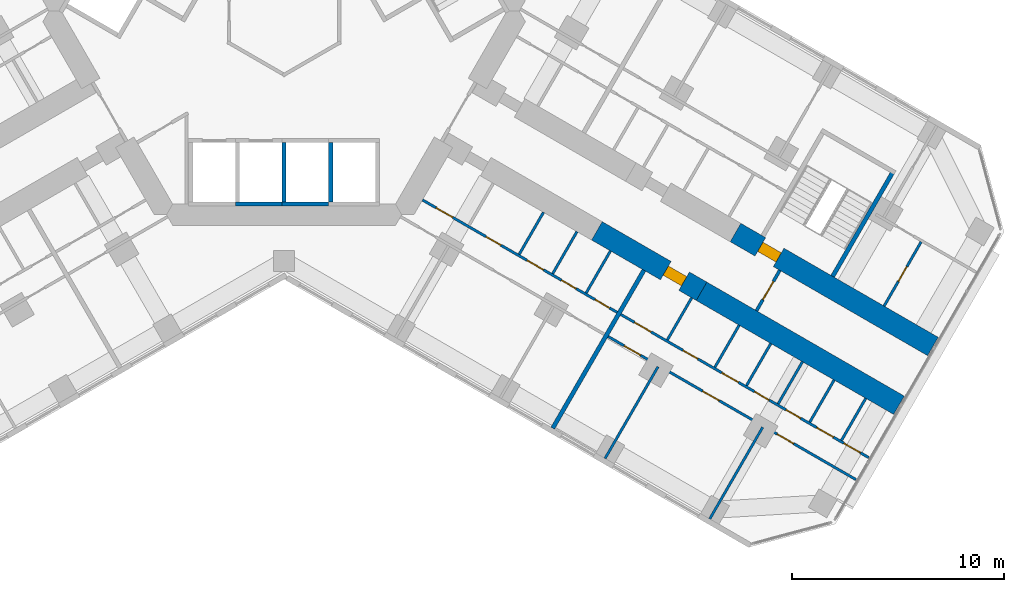
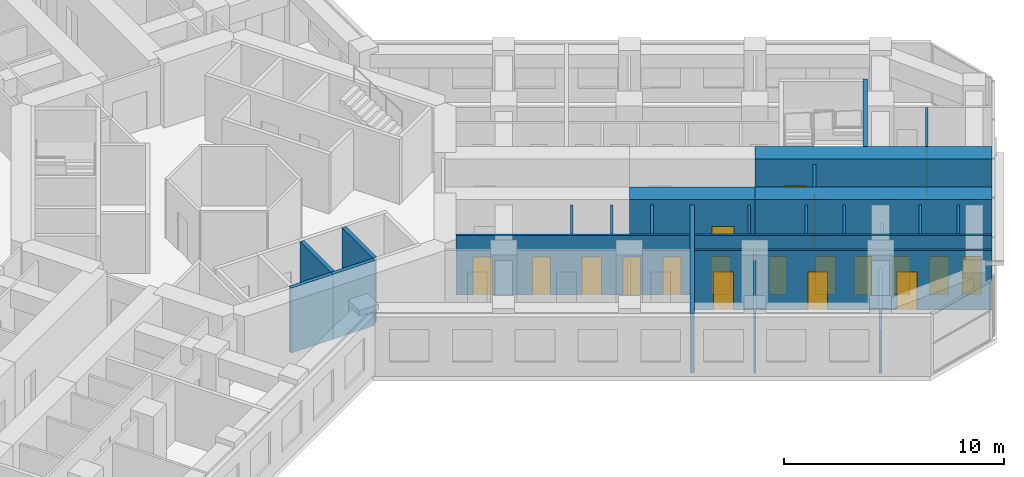
# One storey, part 14 of 21: 25 walls, 19 doors, 19 openings.
"""IFC4 building model written with IfcOpenShell, lengths in metres."""

from ifc_helpers import new_model, si_unit, direction, frame, frame_2d, origin, place, context, subcontext, project, spatial, rectangle, extrude, material, layer, layer_set, type_object, element, fill, save


model = new_model("IFC4")

# Units and contexts
model_context = context("Model", 3, precision=1e-05, world=origin(), true_north=direction((0.0, 1.0)))
body_context = subcontext(model_context, "Body", "Model", "MODEL_VIEW")
ifc_project = project(units=[si_unit("LENGTHUNIT", "METRE"), si_unit("AREAUNIT", "SQUARE_METRE"), si_unit("VOLUMEUNIT", "CUBIC_METRE"), si_unit("PLANEANGLEUNIT", "RADIAN"), si_unit("MASSUNIT", "GRAM", prefix="KILO")], contexts=[model_context])

# Site, building, storey
site_placement = place(None, origin())
site = spatial("IfcSite", under=ifc_project, at=site_placement, CompositionType="ELEMENT")
building_placement = place(site_placement, origin())
building = spatial("IfcBuilding", under=site, at=building_placement, Name="Kosmar Iwan School Tower", CompositionType="ELEMENT")
storey_placement = place(building_placement, frame((0.0, 0.0, 109.60009765625)))
storey = spatial("IfcBuildingStorey", under=building, at=storey_placement, Name="L27", CompositionType="ELEMENT", Elevation=109.60009765625)

# Wall, opening, door
ifc_material_1 = material(Name="Concrete C50/60", Category="concrete")
ifc_layer_1 = layer(ifc_material_1, 1.0)
ifc_layer_set_1 = layer_set([ifc_layer_1], Name="Corridor buttress wall 1000")
wall_type_1 = type_object("IfcWallType", Name="Corridor buttress wall 1000", PredefinedType="SHEAR", material=ifc_layer_set_1)
wall_1_placement = place(storey_placement, frame((21.281494140625, -10.439453125, 0.0), z_axis=(0.0, 0.0, 1.0), x_axis=(0.866032345022, -0.499987977232, 0.0)))
wall_1 = element("IfcWall", 1, at=wall_1_placement, inside=storey, type_object=wall_type_1, Name="Corridor wall CL bay 3", PredefinedType="SHEAR", context=body_context, shape_type="SweptSolid", body=[
    extrude(rectangle(XDim=10.744873046875, YDim=1.0, at=frame_2d((5.37255859375, 0.0))), origin(), (0.0, 0.0, 1.0), 3.599853515625),
])
opening_1_placement = place(wall_1_placement, frame((1.35009765625, 0.0, 0.0)))
opening_1 = element("IfcOpeningElement", 2, at=opening_1_placement, cuts=wall_1, Name="Opening D6", PredefinedType="OPENING", context=body_context, shape_type="SweptSolid", body=[
    extrude(rectangle(XDim=1.0, YDim=2.10009765625, at=frame_2d((0.5, 1.050048828125))), frame((0.0, 0.511962890625, 0.0), z_axis=(0.0, -1.0, 0.0), x_axis=(1.0, 0.0, 0.0)), (0.0, 0.0, 1.0), 1.02392578125),
])
ifc_material_2 = material(Name="Steel fire door", Category="steel")
door_type_1 = type_object("IfcDoorType", Name="Stair door 1000x2100", OperationType="SINGLE_SWING_LEFT", PredefinedType="DOOR", material=ifc_material_2)
door_1_placement = place(opening_1_placement, origin())
door_1 = element("IfcDoor", 3, at=door_1_placement, inside=storey, type_object=door_type_1, Name="Stair WS3 door L27", OperationType="SINGLE_SWING_LEFT", OverallHeight=2.10009765625, OverallWidth=1.0, PredefinedType="DOOR", context=body_context, shape_type="SweptSolid", body=[
    extrude(rectangle(XDim=1.0, YDim=2.10009765625, at=frame_2d((0.5, 1.050048828125))), frame((0.0, 0.25, 0.0), z_axis=(0.0, -1.0, 0.0), x_axis=(1.0, 0.0, 0.0)), (0.0, 0.0, 1.0), 0.5),
])
fill(opening_1, door_1)

wall_2_placement = place(storey_placement, frame((14.7451171875, -10.360595703125, 0.0), z_axis=(0.0, 0.0, 1.0), x_axis=(0.866015111908, -0.50001782563, 0.0)))
wall_2 = element("IfcWall", 4, at=wall_2_placement, inside=storey, type_object=wall_type_1, Name="Corridor wall CR bay 2", PredefinedType="SHEAR", context=body_context, shape_type="SweptSolid", body=[
    extrude(rectangle(XDim=5.699951171875, YDim=1.0, at=frame_2d((2.85009765625, 0.0))), origin(), (0.0, 0.0, 1.0), 3.599853515625),
])
opening_2_placement = place(wall_2_placement, frame((3.75, 0.0, 0.0)))
opening_2 = element("IfcOpeningElement", 5, at=opening_2_placement, cuts=wall_2, Name="Opening D1", PredefinedType="OPENING", context=body_context, shape_type="SweptSolid", body=[
    extrude(rectangle(XDim=1.0, YDim=2.10009765625, at=frame_2d((0.5, 1.050048828125))), frame((0.0, 0.511962890625, 0.0), z_axis=(0.0, -1.0, 0.0), x_axis=(1.0, 0.0, 0.0)), (0.0, 0.0, 1.0), 1.02392578125),
])
ifc_material_3 = material(Name="Timber fire door in steel frame", Category="steel")
door_type_2 = type_object("IfcDoorType", Name="Flat entrance door 1000x2100", OperationType="SINGLE_SWING_LEFT", PredefinedType="DOOR", material=ifc_material_3)
door_2_placement = place(opening_2_placement, origin())
door_2 = element("IfcDoor", 6, at=door_2_placement, inside=storey, type_object=door_type_2, Name="Flat L27-CR2 entrance door", OperationType="SINGLE_SWING_RIGHT", OverallHeight=2.10009765625, OverallWidth=1.0, PredefinedType="DOOR", context=body_context, shape_type="SweptSolid", body=[
    extrude(rectangle(XDim=1.0, YDim=2.10009765625, at=frame_2d((0.5, 1.050048828125))), frame((0.0, 0.25, 0.0), z_axis=(0.0, -1.0, 0.0), x_axis=(1.0, 0.0, 0.0)), (0.0, 0.0, 1.0), 0.5),
])
fill(opening_2, door_2)

# Wall
wall_3_placement = place(storey_placement, frame((19.681396484375, -13.210693359375, 0.0), z_axis=(0.0, 0.0, 1.0), x_axis=(0.866028186671, -0.499995179869, 0.0)))
element("IfcWall", 7, at=wall_3_placement, inside=storey, type_object=wall_type_1, Name="Corridor wall CR bay 3", PredefinedType="SHEAR", context=body_context, shape_type="SweptSolid", body=[
    extrude(rectangle(XDim=10.7451171875, YDim=1.0, at=frame_2d((5.37255859375, 0.0))), origin(), (0.0, 0.0, 1.0), 3.599853515625),
])

# Wall, opening, door
ifc_material_4 = material(Name="Gypsum board on steel studs, fire-rated", Category="steel")
ifc_layer_2 = layer(ifc_material_4, 0.14990234375)
ifc_layer_set_2 = layer_set([ifc_layer_2], Name="Corridor end wall 150")
wall_type_2 = type_object("IfcWallType", Name="Corridor end wall 150", PredefinedType="PARTITIONING", material=ifc_layer_set_2)
wall_4_placement = place(storey_placement, frame((22.269775390625, -14.127685546875, 0.0), z_axis=(0.0, 0.0, 1.0), x_axis=(0.50002983664, 0.866008176907, 0.0)))
wall_4 = element("IfcWall", 8, at=wall_4_placement, inside=storey, type_object=wall_type_2, Name="Partition L27-C-CE", PredefinedType="PARTITIONING", context=body_context, shape_type="SweptSolid", body=[
    extrude(rectangle(XDim=2.199951171875, YDim=0.14990234375, at=frame_2d((1.10009765625, 0.0))), origin(), (0.0, 0.0, 1.0), 3.2998046875),
])
opening_3_placement = place(wall_4_placement, frame((0.60009765625, 0.0, 0.0)))
opening_3 = element("IfcOpeningElement", 9, at=opening_3_placement, cuts=wall_4, Name="Opening D13", PredefinedType="OPENING", context=body_context, shape_type="SweptSolid", body=[
    extrude(rectangle(XDim=1.0, YDim=2.10009765625, at=frame_2d((0.5, 1.050048828125))), frame((0.0, 0.0869140625, 0.0), z_axis=(0.0, -1.0, 0.0), x_axis=(1.0, 0.0, 0.0)), (0.0, 0.0, 1.0), 0.173828125),
])
ifc_material_5 = material(Name="Timber fire door with vision panel", Category="wood")
door_type_3 = type_object("IfcDoorType", Name="Corridor end door 1000x2100", OperationType="SINGLE_SWING_LEFT", PredefinedType="DOOR", material=ifc_material_5)
door_3_placement = place(opening_3_placement, origin())
door_3 = element("IfcDoor", 10, at=door_3_placement, inside=storey, type_object=door_type_3, Name="Hobby workshop door L27-C", OperationType="SINGLE_SWING_RIGHT", OverallHeight=2.10009765625, OverallWidth=1.0, PredefinedType="DOOR", context=body_context, shape_type="SweptSolid", body=[
    extrude(rectangle(XDim=1.0, YDim=2.10009765625, at=frame_2d((0.5, 1.050048828125))), frame((0.0, 0.02490234375, 0.0), z_axis=(0.0, -1.0, 0.0), x_axis=(1.0, 0.0, 0.0)), (0.0, 0.0, 1.0), 0.050048828125),
])
fill(opening_3, door_3)

ifc_material_6 = material(Name="Gypsum board on steel studs", Category="steel")
ifc_layer_3 = layer(ifc_material_6, 0.1201171875)
ifc_layer_set_3 = layer_set([ifc_layer_3], Name="Dwelling partition 120")
wall_type_3 = type_object("IfcWallType", Name="Dwelling partition 120", PredefinedType="PARTITIONING", material=ifc_layer_set_3)
wall_5_placement = place(storey_placement, frame((28.286376953125, -13.90625, 0.0), z_axis=(0.0, 0.0, 1.0), x_axis=(0.50002117804, 0.866013176292, 0.0)))
wall_5 = element("IfcWall", 11, at=wall_5_placement, inside=storey, type_object=wall_type_3, Name="Partition L27-CL2-TY", PredefinedType="PARTITIONING", context=body_context, shape_type="SweptSolid", body=[
    extrude(rectangle(XDim=3.489990234375, YDim=0.1201171875, at=frame_2d((1.7451171875, 0.0))), origin(), (0.0, 0.0, 1.0), 3.2998046875),
])
opening_4_placement = place(wall_5_placement, frame((1.344970703125, 0.0, 0.0)))
opening_4 = element("IfcOpeningElement", 12, at=opening_4_placement, cuts=wall_5, Name="Opening D3", PredefinedType="OPENING", context=body_context, shape_type="SweptSolid", body=[
    extrude(rectangle(XDim=0.800048828125, YDim=2.10009765625, at=frame_2d((0.39990234375, 1.050048828125))), frame((0.0, 0.072021484375, 0.0), z_axis=(0.0, -1.0, 0.0), x_axis=(1.0, 0.0, 0.0)), (0.0, 0.0, 1.0), 0.14404296875),
])
ifc_material_7 = material(Name="Timber door in timber frame", Category="wood")
door_type_4 = type_object("IfcDoorType", Name="Sanitary room door 800x2100", OperationType="SINGLE_SWING_LEFT", PredefinedType="DOOR", material=ifc_material_7)
door_4_placement = place(opening_4_placement, origin())
door_4 = element("IfcDoor", 13, at=door_4_placement, inside=storey, type_object=door_type_4, Name="Shower room door L27-CL2-T4", OperationType="SINGLE_SWING_LEFT", OverallHeight=2.10009765625, OverallWidth=0.800048828125, PredefinedType="DOOR", context=body_context, shape_type="SweptSolid", body=[
    extrude(rectangle(XDim=0.800048828125, YDim=2.10009765625, at=frame_2d((0.39990234375, 1.050048828125))), frame((0.0, 0.02490234375, 0.0), z_axis=(0.0, -1.0, 0.0), x_axis=(1.0, 0.0, 0.0)), (0.0, 0.0, 1.0), 0.050048828125),
])
fill(opening_4, door_4)

# Wall, openings, doors
wall_6_placement = place(storey_placement, frame((6.521728515625, -8.90380859375, 0.0), z_axis=(0.0, 0.0, 1.0), x_axis=(0.866024879913, -0.50000090737, 0.0)))
wall_6 = element("IfcWall", 14, at=wall_6_placement, inside=storey, type_object=wall_type_3, Name="Partition L27-CR1-W1", PredefinedType="PARTITIONING", context=body_context, shape_type="SweptSolid", body=[
    extrude(rectangle(XDim=10.60009765625, YDim=0.1201171875, at=frame_2d((5.300048828125, 0.0))), origin(), (0.0, 0.0, 1.0), 3.2998046875),
])
opening_5_placement = place(wall_6_placement, frame((0.75, 0.0, 0.0)))
opening_5 = element("IfcOpeningElement", 15, at=opening_5_placement, cuts=wall_6, Name="Opening D2", PredefinedType="OPENING", context=body_context, shape_type="SweptSolid", body=[
    extrude(rectangle(XDim=0.89990234375, YDim=2.10009765625, at=frame_2d((0.449951171875, 1.050048828125))), frame((0.0, 0.072021484375, 0.0), z_axis=(0.0, -1.0, 0.0), x_axis=(1.0, 0.0, 0.0)), (0.0, 0.0, 1.0), 0.14404296875),
])
opening_6_placement = place(wall_6_placement, frame((3.466796875, 0.0, 0.0)))
opening_6 = element("IfcOpeningElement", 16, at=opening_6_placement, cuts=wall_6, Name="Opening D3", PredefinedType="OPENING", context=body_context, shape_type="SweptSolid", body=[
    extrude(rectangle(XDim=0.800048828125, YDim=2.10009765625, at=frame_2d((0.39990234375, 1.050048828125))), frame((0.0, 0.072021484375, 0.0), z_axis=(0.0, -1.0, 0.0), x_axis=(1.0, 0.0, 0.0)), (0.0, 0.0, 1.0), 0.14404296875),
])
opening_7_placement = place(wall_6_placement, frame((5.6943359375, 0.0, 0.0)))
opening_7 = element("IfcOpeningElement", 17, at=opening_7_placement, cuts=wall_6, Name="Opening D2", PredefinedType="OPENING", context=body_context, shape_type="SweptSolid", body=[
    extrude(rectangle(XDim=0.89990234375, YDim=2.10009765625, at=frame_2d((0.449951171875, 1.050048828125))), frame((0.0, 0.072021484375, 0.0), z_axis=(0.0, -1.0, 0.0), x_axis=(1.0, 0.0, 0.0)), (0.0, 0.0, 1.0), 0.14404296875),
])
opening_8_placement = place(wall_6_placement, frame((7.566650390625, 0.0, 0.0)))
opening_8 = element("IfcOpeningElement", 18, at=opening_8_placement, cuts=wall_6, Name="Opening D3", PredefinedType="OPENING", context=body_context, shape_type="SweptSolid", body=[
    extrude(rectangle(XDim=0.800048828125, YDim=2.10009765625, at=frame_2d((0.39990234375, 1.050048828125))), frame((0.0, 0.072021484375, 0.0), z_axis=(0.0, -1.0, 0.0), x_axis=(1.0, 0.0, 0.0)), (0.0, 0.0, 1.0), 0.14404296875),
])
opening_9_placement = place(wall_6_placement, frame((9.388916015625, 0.0, 0.0)))
opening_9 = element("IfcOpeningElement", 19, at=opening_9_placement, cuts=wall_6, Name="Opening D3", PredefinedType="OPENING", context=body_context, shape_type="SweptSolid", body=[
    extrude(rectangle(XDim=0.800048828125, YDim=2.10009765625, at=frame_2d((0.39990234375, 1.050048828125))), frame((0.0, 0.072021484375, 0.0), z_axis=(0.0, -1.0, 0.0), x_axis=(1.0, 0.0, 0.0)), (0.0, 0.0, 1.0), 0.14404296875),
])
ifc_material_8 = material(Name="Timber door in timber frame", Category="wood")
door_type_5 = type_object("IfcDoorType", Name="Internal door 900x2100", OperationType="SINGLE_SWING_LEFT", PredefinedType="DOOR", material=ifc_material_8)
door_5_placement = place(opening_5_placement, origin())
door_5 = element("IfcDoor", 20, at=door_5_placement, inside=storey, type_object=door_type_5, Name="Entrance hall door L27-CR1-S1", OperationType="SINGLE_SWING_RIGHT", OverallHeight=2.10009765625, OverallWidth=0.89990234375, PredefinedType="DOOR", context=body_context, shape_type="SweptSolid", body=[
    extrude(rectangle(XDim=0.89990234375, YDim=2.10009765625, at=frame_2d((0.449951171875, 1.050048828125))), frame((0.0, 0.02490234375, 0.0), z_axis=(0.0, -1.0, 0.0), x_axis=(1.0, 0.0, 0.0)), (0.0, 0.0, 1.0), 0.050048828125),
])
fill(opening_5, door_5)
door_6_placement = place(opening_7_placement, origin())
door_6 = element("IfcDoor", 21, at=door_6_placement, inside=storey, type_object=door_type_5, Name="Pantry door L27-CR1-S3", OperationType="SINGLE_SWING_RIGHT", OverallHeight=2.10009765625, OverallWidth=0.89990234375, PredefinedType="DOOR", context=body_context, shape_type="SweptSolid", body=[
    extrude(rectangle(XDim=0.89990234375, YDim=2.10009765625, at=frame_2d((0.449951171875, 1.050048828125))), frame((0.0, 0.02490234375, 0.0), z_axis=(0.0, -1.0, 0.0), x_axis=(1.0, 0.0, 0.0)), (0.0, 0.0, 1.0), 0.050048828125),
])
fill(opening_7, door_6)
door_7_placement = place(opening_6_placement, origin())
door_7 = element("IfcDoor", 22, at=door_7_placement, inside=storey, type_object=door_type_4, Name="Bathroom door L27-CR1-S2", OperationType="SINGLE_SWING_LEFT", OverallHeight=2.10009765625, OverallWidth=0.800048828125, PredefinedType="DOOR", context=body_context, shape_type="SweptSolid", body=[
    extrude(rectangle(XDim=0.800048828125, YDim=2.10009765625, at=frame_2d((0.39990234375, 1.050048828125))), frame((0.0, 0.02490234375, 0.0), z_axis=(0.0, -1.0, 0.0), x_axis=(1.0, 0.0, 0.0)), (0.0, 0.0, 1.0), 0.050048828125),
])
fill(opening_6, door_7)
door_8_placement = place(opening_8_placement, origin())
door_8 = element("IfcDoor", 23, at=door_8_placement, inside=storey, type_object=door_type_4, Name="WC door L27-CR1-S4", OperationType="SINGLE_SWING_LEFT", OverallHeight=2.10009765625, OverallWidth=0.800048828125, PredefinedType="DOOR", context=body_context, shape_type="SweptSolid", body=[
    extrude(rectangle(XDim=0.800048828125, YDim=2.10009765625, at=frame_2d((0.39990234375, 1.050048828125))), frame((0.0, 0.02490234375, 0.0), z_axis=(0.0, -1.0, 0.0), x_axis=(1.0, 0.0, 0.0)), (0.0, 0.0, 1.0), 0.050048828125),
])
fill(opening_8, door_8)
door_9_placement = place(opening_9_placement, origin())
door_9 = element("IfcDoor", 24, at=door_9_placement, inside=storey, type_object=door_type_4, Name="Store door L27-CR1-S5", OperationType="SINGLE_SWING_RIGHT", OverallHeight=2.10009765625, OverallWidth=0.800048828125, PredefinedType="DOOR", context=body_context, shape_type="SweptSolid", body=[
    extrude(rectangle(XDim=0.800048828125, YDim=2.10009765625, at=frame_2d((0.39990234375, 1.050048828125))), frame((0.0, 0.02490234375, 0.0), z_axis=(0.0, -1.0, 0.0), x_axis=(1.0, 0.0, 0.0)), (0.0, 0.0, 1.0), 0.050048828125),
])
fill(opening_9, door_9)

# Walls
for number, where, z_axis, x_axis, name in (
    (25, (12.22900390625, -9.4853515625, 0.0), (0.0, 0.0, 1.0), (-0.500014693593, -0.866016920268, 0.0), "Partition L27-CR1-Y2"),
    (26, (13.80712890625, -10.396484375, 0.0), (0.0, 0.0, 1.0), (-0.500014693593, -0.866016920268, 0.0), "Partition L27-CR1-Y3"),
    (27, (15.38525390625, -11.3076171875, 0.0), (0.0, 0.0, 1.0), (-0.500014693593, -0.866016920268, 0.0), "Partition L27-CR1-Y4"),
):
    element("IfcWall", number, at=place(storey_placement, frame(where, z_axis=z_axis, x_axis=x_axis)), inside=storey, type_object=wall_type_3, Name=name, PredefinedType="PARTITIONING", context=body_context, shape_type="SweptSolid", body=[
        extrude(rectangle(XDim=2.2900390625, YDim=0.1201171875, at=frame_2d((1.14501953125, 0.0))), origin(), (0.0, 0.0, 1.0), 3.2998046875),
    ])

# Wall, openings, doors
wall_7_placement = place(storey_placement, frame((15.875, -14.3037109375, 0.0), z_axis=(0.0, 0.0, 1.0), x_axis=(0.866023503214, -0.50000329187, 0.0)))
wall_7 = element("IfcWall", 28, at=wall_7_placement, inside=storey, type_object=wall_type_3, Name="Partition L27-CR2-W1", PredefinedType="PARTITIONING", context=body_context, shape_type="SweptSolid", body=[
    extrude(rectangle(XDim=13.4951171875, YDim=0.1201171875, at=frame_2d((6.74755859375, 0.0))), origin(), (0.0, 0.0, 1.0), 3.2998046875),
])
opening_10_placement = place(wall_7_placement, frame((0.75, 0.0, 0.0)))
opening_10 = element("IfcOpeningElement", 29, at=opening_10_placement, cuts=wall_7, Name="Opening D2", PredefinedType="OPENING", context=body_context, shape_type="SweptSolid", body=[
    extrude(rectangle(XDim=0.89990234375, YDim=2.10009765625, at=frame_2d((0.449951171875, 1.050048828125))), frame((0.0, 0.072021484375, 0.0), z_axis=(0.0, -1.0, 0.0), x_axis=(1.0, 0.0, 0.0)), (0.0, 0.0, 1.0), 0.14404296875),
])
opening_11_placement = place(wall_7_placement, frame((3.392333984375, 0.0, 0.0)))
opening_11 = element("IfcOpeningElement", 30, at=opening_11_placement, cuts=wall_7, Name="Opening D3", PredefinedType="OPENING", context=body_context, shape_type="SweptSolid", body=[
    extrude(rectangle(XDim=0.800048828125, YDim=2.10009765625, at=frame_2d((0.39990234375, 1.050048828125))), frame((0.0, 0.072021484375, 0.0), z_axis=(0.0, -1.0, 0.0), x_axis=(1.0, 0.0, 0.0)), (0.0, 0.0, 1.0), 0.14404296875),
])
opening_12_placement = place(wall_7_placement, frame((5.49609375, 0.0, 0.0)))
opening_12 = element("IfcOpeningElement", 31, at=opening_12_placement, cuts=wall_7, Name="Opening D2", PredefinedType="OPENING", context=body_context, shape_type="SweptSolid", body=[
    extrude(rectangle(XDim=0.89990234375, YDim=2.10009765625, at=frame_2d((0.449951171875, 1.050048828125))), frame((0.0, 0.072021484375, 0.0), z_axis=(0.0, -1.0, 0.0), x_axis=(1.0, 0.0, 0.0)), (0.0, 0.0, 1.0), 0.14404296875),
])
opening_13_placement = place(wall_7_placement, frame((7.269287109375, 0.0, 0.0)))
opening_13 = element("IfcOpeningElement", 32, at=opening_13_placement, cuts=wall_7, Name="Opening D3", PredefinedType="OPENING", context=body_context, shape_type="SweptSolid", body=[
    extrude(rectangle(XDim=0.800048828125, YDim=2.10009765625, at=frame_2d((0.39990234375, 1.050048828125))), frame((0.0, 0.072021484375, 0.0), z_axis=(0.0, -1.0, 0.0), x_axis=(1.0, 0.0, 0.0)), (0.0, 0.0, 1.0), 0.14404296875),
])
opening_14_placement = place(wall_7_placement, frame((8.992431640625, 0.0, 0.0)))
opening_14 = element("IfcOpeningElement", 33, at=opening_14_placement, cuts=wall_7, Name="Opening D3", PredefinedType="OPENING", context=body_context, shape_type="SweptSolid", body=[
    extrude(rectangle(XDim=0.800048828125, YDim=2.10009765625, at=frame_2d((0.39990234375, 1.050048828125))), frame((0.0, 0.072021484375, 0.0), z_axis=(0.0, -1.0, 0.0), x_axis=(1.0, 0.0, 0.0)), (0.0, 0.0, 1.0), 0.14404296875),
])
opening_15_placement = place(wall_7_placement, frame((10.665283203125, 0.0, 0.0)))
opening_15 = element("IfcOpeningElement", 34, at=opening_15_placement, cuts=wall_7, Name="Opening D2", PredefinedType="OPENING", context=body_context, shape_type="SweptSolid", body=[
    extrude(rectangle(XDim=0.89990234375, YDim=2.10009765625, at=frame_2d((0.449951171875, 1.050048828125))), frame((0.0, 0.072021484375, 0.0), z_axis=(0.0, -1.0, 0.0), x_axis=(1.0, 0.0, 0.0)), (0.0, 0.0, 1.0), 0.14404296875),
])
opening_16_placement = place(wall_7_placement, frame((12.136962890625, 0.0, 0.0)))
opening_16 = element("IfcOpeningElement", 35, at=opening_16_placement, cuts=wall_7, Name="Opening D2", PredefinedType="OPENING", context=body_context, shape_type="SweptSolid", body=[
    extrude(rectangle(XDim=0.89990234375, YDim=2.10009765625, at=frame_2d((0.449951171875, 1.050048828125))), frame((0.0, 0.072021484375, 0.0), z_axis=(0.0, -1.0, 0.0), x_axis=(1.0, 0.0, 0.0)), (0.0, 0.0, 1.0), 0.14404296875),
])
door_10_placement = place(opening_10_placement, origin())
door_10 = element("IfcDoor", 36, at=door_10_placement, inside=storey, type_object=door_type_5, Name="Entrance hall door L27-CR2-S1", OperationType="SINGLE_SWING_RIGHT", OverallHeight=2.10009765625, OverallWidth=0.89990234375, PredefinedType="DOOR", context=body_context, shape_type="SweptSolid", body=[
    extrude(rectangle(XDim=0.89990234375, YDim=2.10009765625, at=frame_2d((0.449951171875, 1.050048828125))), frame((0.0, 0.02490234375, 0.0), z_axis=(0.0, -1.0, 0.0), x_axis=(1.0, 0.0, 0.0)), (0.0, 0.0, 1.0), 0.050048828125),
])
fill(opening_10, door_10)
door_11_placement = place(opening_12_placement, origin())
door_11 = element("IfcDoor", 37, at=door_11_placement, inside=storey, type_object=door_type_5, Name="Pantry door L27-CR2-S3", OperationType="SINGLE_SWING_RIGHT", OverallHeight=2.10009765625, OverallWidth=0.89990234375, PredefinedType="DOOR", context=body_context, shape_type="SweptSolid", body=[
    extrude(rectangle(XDim=0.89990234375, YDim=2.10009765625, at=frame_2d((0.449951171875, 1.050048828125))), frame((0.0, 0.02490234375, 0.0), z_axis=(0.0, -1.0, 0.0), x_axis=(1.0, 0.0, 0.0)), (0.0, 0.0, 1.0), 0.050048828125),
])
fill(opening_12, door_11)
door_12_placement = place(opening_15_placement, origin())
door_12 = element("IfcDoor", 38, at=door_12_placement, inside=storey, type_object=door_type_5, Name="Utility room door L27-CR2-S6", OperationType="SINGLE_SWING_LEFT", OverallHeight=2.10009765625, OverallWidth=0.89990234375, PredefinedType="DOOR", context=body_context, shape_type="SweptSolid", body=[
    extrude(rectangle(XDim=0.89990234375, YDim=2.10009765625, at=frame_2d((0.449951171875, 1.050048828125))), frame((0.0, 0.02490234375, 0.0), z_axis=(0.0, -1.0, 0.0), x_axis=(1.0, 0.0, 0.0)), (0.0, 0.0, 1.0), 0.050048828125),
])
fill(opening_15, door_12)
door_13_placement = place(opening_16_placement, origin())
door_13 = element("IfcDoor", 39, at=door_13_placement, inside=storey, type_object=door_type_5, Name="Dressing room door L27-CR2-S7", OperationType="SINGLE_SWING_LEFT", OverallHeight=2.10009765625, OverallWidth=0.89990234375, PredefinedType="DOOR", context=body_context, shape_type="SweptSolid", body=[
    extrude(rectangle(XDim=0.89990234375, YDim=2.10009765625, at=frame_2d((0.449951171875, 1.050048828125))), frame((0.0, 0.02490234375, 0.0), z_axis=(0.0, -1.0, 0.0), x_axis=(1.0, 0.0, 0.0)), (0.0, 0.0, 1.0), 0.050048828125),
])
fill(opening_16, door_13)
door_14_placement = place(opening_11_placement, origin())
door_14 = element("IfcDoor", 40, at=door_14_placement, inside=storey, type_object=door_type_4, Name="Bathroom door L27-CR2-S2", OperationType="SINGLE_SWING_LEFT", OverallHeight=2.10009765625, OverallWidth=0.800048828125, PredefinedType="DOOR", context=body_context, shape_type="SweptSolid", body=[
    extrude(rectangle(XDim=0.800048828125, YDim=2.10009765625, at=frame_2d((0.39990234375, 1.050048828125))), frame((0.0, 0.02490234375, 0.0), z_axis=(0.0, -1.0, 0.0), x_axis=(1.0, 0.0, 0.0)), (0.0, 0.0, 1.0), 0.050048828125),
])
fill(opening_11, door_14)
door_15_placement = place(opening_13_placement, origin())
door_15 = element("IfcDoor", 41, at=door_15_placement, inside=storey, type_object=door_type_4, Name="WC door L27-CR2-S4", OperationType="SINGLE_SWING_LEFT", OverallHeight=2.10009765625, OverallWidth=0.800048828125, PredefinedType="DOOR", context=body_context, shape_type="SweptSolid", body=[
    extrude(rectangle(XDim=0.800048828125, YDim=2.10009765625, at=frame_2d((0.39990234375, 1.050048828125))), frame((0.0, 0.02490234375, 0.0), z_axis=(0.0, -1.0, 0.0), x_axis=(1.0, 0.0, 0.0)), (0.0, 0.0, 1.0), 0.050048828125),
])
fill(opening_13, door_15)
door_16_placement = place(opening_14_placement, origin())
door_16 = element("IfcDoor", 42, at=door_16_placement, inside=storey, type_object=door_type_4, Name="Store door L27-CR2-S5", OperationType="SINGLE_SWING_RIGHT", OverallHeight=2.10009765625, OverallWidth=0.800048828125, PredefinedType="DOOR", context=body_context, shape_type="SweptSolid", body=[
    extrude(rectangle(XDim=0.800048828125, YDim=2.10009765625, at=frame_2d((0.39990234375, 1.050048828125))), frame((0.0, 0.02490234375, 0.0), z_axis=(0.0, -1.0, 0.0), x_axis=(1.0, 0.0, 0.0)), (0.0, 0.0, 1.0), 0.050048828125),
])
fill(opening_14, door_16)

wall_8_placement = place(storey_placement, frame((15.27490234375, -15.343017578125, 0.0), z_axis=(0.0, 0.0, 1.0), x_axis=(0.866023503214, -0.50000329187, 0.0)))
wall_8 = element("IfcWall", 43, at=wall_8_placement, inside=storey, type_object=wall_type_3, Name="Partition L27-CR2-W2", PredefinedType="PARTITIONING", context=body_context, shape_type="SweptSolid", body=[
    extrude(rectangle(XDim=13.4951171875, YDim=0.1201171875, at=frame_2d((6.74755859375, 0.0))), origin(), (0.0, 0.0, 1.0), 3.2998046875),
])
opening_17_placement = place(wall_8_placement, frame((0.875, 0.0, 0.0)))
opening_17 = element("IfcOpeningElement", 44, at=opening_17_placement, cuts=wall_8, Name="Opening D2", PredefinedType="OPENING", context=body_context, shape_type="SweptSolid", body=[
    extrude(rectangle(XDim=0.89990234375, YDim=2.10009765625, at=frame_2d((0.449951171875, 1.050048828125))), frame((0.0, 0.072021484375, 0.0), z_axis=(0.0, -1.0, 0.0), x_axis=(1.0, 0.0, 0.0)), (0.0, 0.0, 1.0), 0.14404296875),
])
opening_18_placement = place(wall_8_placement, frame((5.14990234375, 0.0, 0.0)))
opening_18 = element("IfcOpeningElement", 45, at=opening_18_placement, cuts=wall_8, Name="Opening D2", PredefinedType="OPENING", context=body_context, shape_type="SweptSolid", body=[
    extrude(rectangle(XDim=0.89990234375, YDim=2.10009765625, at=frame_2d((0.449951171875, 1.050048828125))), frame((0.0, 0.072021484375, 0.0), z_axis=(0.0, -1.0, 0.0), x_axis=(1.0, 0.0, 0.0)), (0.0, 0.0, 1.0), 0.14404296875),
])
opening_19_placement = place(wall_8_placement, frame((9.199951171875, 0.0, 0.0)))
opening_19 = element("IfcOpeningElement", 46, at=opening_19_placement, cuts=wall_8, Name="Opening D2", PredefinedType="OPENING", context=body_context, shape_type="SweptSolid", body=[
    extrude(rectangle(XDim=0.89990234375, YDim=2.10009765625, at=frame_2d((0.449951171875, 1.050048828125))), frame((0.0, 0.072021484375, 0.0), z_axis=(0.0, -1.0, 0.0), x_axis=(1.0, 0.0, 0.0)), (0.0, 0.0, 1.0), 0.14404296875),
])
door_17_placement = place(opening_17_placement, origin())
door_17 = element("IfcDoor", 47, at=door_17_placement, inside=storey, type_object=door_type_5, Name="Winter garden door L27-CR2-F1", OperationType="SINGLE_SWING_LEFT", OverallHeight=2.10009765625, OverallWidth=0.89990234375, PredefinedType="DOOR", context=body_context, shape_type="SweptSolid", body=[
    extrude(rectangle(XDim=0.89990234375, YDim=2.10009765625, at=frame_2d((0.449951171875, 1.050048828125))), frame((0.0, 0.02490234375, 0.0), z_axis=(0.0, -1.0, 0.0), x_axis=(1.0, 0.0, 0.0)), (0.0, 0.0, 1.0), 0.050048828125),
])
fill(opening_17, door_17)
door_18_placement = place(opening_18_placement, origin())
door_18 = element("IfcDoor", 48, at=door_18_placement, inside=storey, type_object=door_type_5, Name="Living room and kitchen door L27-CR2-F2", OperationType="SINGLE_SWING_LEFT", OverallHeight=2.10009765625, OverallWidth=0.89990234375, PredefinedType="DOOR", context=body_context, shape_type="SweptSolid", body=[
    extrude(rectangle(XDim=0.89990234375, YDim=2.10009765625, at=frame_2d((0.449951171875, 1.050048828125))), frame((0.0, 0.02490234375, 0.0), z_axis=(0.0, -1.0, 0.0), x_axis=(1.0, 0.0, 0.0)), (0.0, 0.0, 1.0), 0.050048828125),
])
fill(opening_18, door_18)
door_19_placement = place(opening_19_placement, origin())
door_19 = element("IfcDoor", 49, at=door_19_placement, inside=storey, type_object=door_type_5, Name="Bedroom 1 door L27-CR2-F3", OperationType="SINGLE_SWING_RIGHT", OverallHeight=2.10009765625, OverallWidth=0.89990234375, PredefinedType="DOOR", context=body_context, shape_type="SweptSolid", body=[
    extrude(rectangle(XDim=0.89990234375, YDim=2.10009765625, at=frame_2d((0.449951171875, 1.050048828125))), frame((0.0, 0.02490234375, 0.0), z_axis=(0.0, -1.0, 0.0), x_axis=(1.0, 0.0, 0.0)), (0.0, 0.0, 1.0), 0.050048828125),
])
fill(opening_19, door_19)

# Walls
wall_9_placement = place(storey_placement, frame((17.62646484375, -16.77001953125, 0.0), z_axis=(0.0, 0.0, 1.0), x_axis=(-0.499975153383, -0.86603974851, 0.0)))
element("IfcWall", 50, at=wall_9_placement, inside=storey, type_object=wall_type_3, Name="Partition L27-CR2-X1", PredefinedType="PARTITIONING", context=body_context, shape_type="SweptSolid", body=[
    extrude(rectangle(XDim=4.989990234375, YDim=0.1201171875, at=frame_2d((2.4951171875, 0.0))), origin(), (0.0, 0.0, 1.0), 3.2998046875),
])
wall_10_placement = place(storey_placement, frame((22.562744140625, -19.6201171875, 0.0), z_axis=(0.0, 0.0, 1.0), x_axis=(-0.499996339024, -0.86602751744, 0.0)))
element("IfcWall", 51, at=wall_10_placement, inside=storey, type_object=wall_type_3, Name="Partition L27-CR2-X2", PredefinedType="PARTITIONING", context=body_context, shape_type="SweptSolid", body=[
    extrude(rectangle(XDim=4.98974609375, YDim=0.1201171875, at=frame_2d((2.494873046875, 0.0))), origin(), (0.0, 0.0, 1.0), 2.2998046875),
])
wall_11_placement = place(storey_placement, frame((19.215087890625, -13.5185546875, 0.0), z_axis=(0.0, 0.0, 1.0), x_axis=(-0.499968531483, -0.866043571379, 0.0)))
element("IfcWall", 52, at=wall_11_placement, inside=storey, type_object=wall_type_3, Name="Partition L27-CR2-Y1", PredefinedType="PARTITIONING", context=body_context, shape_type="SweptSolid", body=[
    extrude(rectangle(XDim=2.290283203125, YDim=0.1201171875, at=frame_2d((1.14501953125, 0.0))), origin(), (0.0, 0.0, 1.0), 3.2998046875),
])
for number, where, z_axis, x_axis, name in (
    (53, (21.453369140625, -14.81103515625, 0.0), (0.0, 0.0, 1.0), (-0.500014693593, -0.866016920268, 0.0), "Partition L27-CR2-Y2"),
    (54, (22.945556640625, -15.672607421875, 0.0), (0.0, 0.0, 1.0), (-0.500014693593, -0.866016920268, 0.0), "Partition L27-CR2-Y3"),
):
    element("IfcWall", number, at=place(storey_placement, frame(where, z_axis=z_axis, x_axis=x_axis)), inside=storey, type_object=wall_type_3, Name=name, PredefinedType="PARTITIONING", context=body_context, shape_type="SweptSolid", body=[
        extrude(rectangle(XDim=2.2900390625, YDim=0.1201171875, at=frame_2d((1.14501953125, 0.0))), origin(), (0.0, 0.0, 1.0), 3.2998046875),
    ])
wall_12_placement = place(storey_placement, frame((24.437744140625, -16.533935546875, 0.0), z_axis=(0.0, 0.0, 1.0), x_axis=(-0.499968531483, -0.866043571379, 0.0)))
element("IfcWall", 55, at=wall_12_placement, inside=storey, type_object=wall_type_3, Name="Partition L27-CR2-Y4", PredefinedType="PARTITIONING", context=body_context, shape_type="SweptSolid", body=[
    extrude(rectangle(XDim=2.290283203125, YDim=0.1201171875, at=frame_2d((1.14501953125, 0.0))), origin(), (0.0, 0.0, 1.0), 2.2998046875),
])
for number, where, z_axis, x_axis, name in (
    (56, (25.929931640625, -17.3955078125, 0.0), (0.0, 0.0, 1.0), (-0.500014693593, -0.866016920268, 0.0), "Partition L27-CR2-Y5"),
    (57, (27.42236328125, -18.257080078125, 0.0), (0.0, 0.0, 1.0), (-0.500014693593, -0.866016920268, 0.0), "Partition L27-CR2-Y6"),
):
    element("IfcWall", number, at=place(storey_placement, frame(where, z_axis=z_axis, x_axis=x_axis)), inside=storey, type_object=wall_type_3, Name=name, PredefinedType="PARTITIONING", context=body_context, shape_type="SweptSolid", body=[
        extrude(rectangle(XDim=2.2900390625, YDim=0.1201171875, at=frame_2d((1.14501953125, 0.0))), origin(), (0.0, 0.0, 1.0), 3.2998046875),
    ])
ifc_material_9 = material(Name="Concrete C35/45", Category="concrete")
ifc_layer_4 = layer(ifc_material_9, 0.199951171875)
ifc_layer_set_4 = layer_set([ifc_layer_4], Name="Escape stair wall 200")
wall_type_4 = type_object("IfcWallType", Name="Escape stair wall 200", PredefinedType="SHEAR", material=ifc_layer_set_4)
wall_13_placement = place(storey_placement, frame((25.861572265625, -12.50634765625, 0.0), z_axis=(0.0, 0.0, 1.0), x_axis=(0.500018801468, 0.86601454848, 0.0)))
element("IfcWall", 58, at=wall_13_placement, inside=storey, type_object=wall_type_4, Name="Stair WS3 wall", PredefinedType="SHEAR", context=body_context, shape_type="SweptSolid", body=[
    extrude(rectangle(XDim=5.800048828125, YDim=0.199951171875, at=frame_2d((2.89990234375, 0.0))), origin(), (0.0, 0.0, 1.0), 3.27978515625),
])
ifc_material_10 = material(Name="Concrete C50/60", Category="concrete")
ifc_layer_5 = layer(ifc_material_10, 0.199951171875)
ifc_layer_set_5 = layer_set([ifc_layer_5], Name="Lift shaft wall 200")
wall_type_5 = type_object("IfcWallType", Name="Lift shaft wall 200", PredefinedType="SHEAR", material=ifc_layer_set_5)
wall_14_placement = place(storey_placement, frame((-2.300048828125, -9.10009765625, 0.0), z_axis=(0.0, 0.0, 1.0), x_axis=(1.0, 0.0, 0.0)))
element("IfcWall", 59, at=wall_14_placement, inside=storey, type_object=wall_type_5, Name="Lift and stair back wall BC", PredefinedType="SHEAR", context=body_context, shape_type="SweptSolid", body=[
    extrude(rectangle(XDim=2.199951171875, YDim=0.199951171875, at=frame_2d((1.10009765625, 0.0))), origin(), (0.0, 0.0, 1.0), 3.599853515625),
])
wall_15_placement = place(storey_placement, frame((-0.10009765625, -9.10009765625, 0.0), z_axis=(0.0, 0.0, 1.0), x_axis=(1.0, 0.0, 0.0)))
element("IfcWall", 60, at=wall_15_placement, inside=storey, type_object=wall_type_5, Name="Lift and stair back wall BC", PredefinedType="SHEAR", context=body_context, shape_type="SweptSolid", body=[
    extrude(rectangle(XDim=2.2001953125, YDim=0.199951171875, at=frame_2d((1.10009765625, 0.0))), origin(), (0.0, 0.0, 1.0), 3.599853515625),
])
for number, where, z_axis, x_axis, name in (
    (61, (0.0, -6.199951171875, 0.0), (0.0, 0.0, 1.0), (0.0, -1.0, 0.0), "Lift shaft wall BC 2"),
    (62, (2.199951171875, -6.199951171875, 0.0), (0.0, 0.0, 1.0), (0.0, -1.0, 0.0), "Lift shaft wall BC 3"),
):
    element("IfcWall", number, at=place(storey_placement, frame(where, z_axis=z_axis, x_axis=x_axis)), inside=storey, type_object=wall_type_5, Name=name, PredefinedType="SHEAR", context=body_context, shape_type="SweptSolid", body=[
        extrude(rectangle(XDim=2.800048828125, YDim=0.199951171875, at=frame_2d((1.39990234375, 0.0))), origin(), (0.0, 0.0, 1.0), 3.599853515625),
    ])
ifc_material_11 = material(Name="Concrete block masonry", Category="masonry")
ifc_layer_6 = layer(ifc_material_11, 0.199951171875)
ifc_layer_set_6 = layer_set([ifc_layer_6], Name="Party wall 200")
wall_type_6 = type_object("IfcWallType", Name="Party wall 200", PredefinedType="PARTITIONING", material=ifc_layer_set_6)
wall_16_placement = place(storey_placement, frame((16.96337890625, -12.21875, 0.0), z_axis=(0.0, 0.0, 1.0), x_axis=(-0.500007509209, -0.866021068297, 0.0)))
element("IfcWall", 63, at=wall_16_placement, inside=storey, type_object=wall_type_6, Name="Partition L27-CR2-PW", PredefinedType="PARTITIONING", context=body_context, shape_type="SweptSolid", body=[
    extrude(rectangle(XDim=8.599853515625, YDim=0.199951171875, at=frame_2d((4.2998046875, 0.0))), origin(), (0.0, 0.0, 1.0), 3.2998046875),
])

save(model, "model.ifc")
